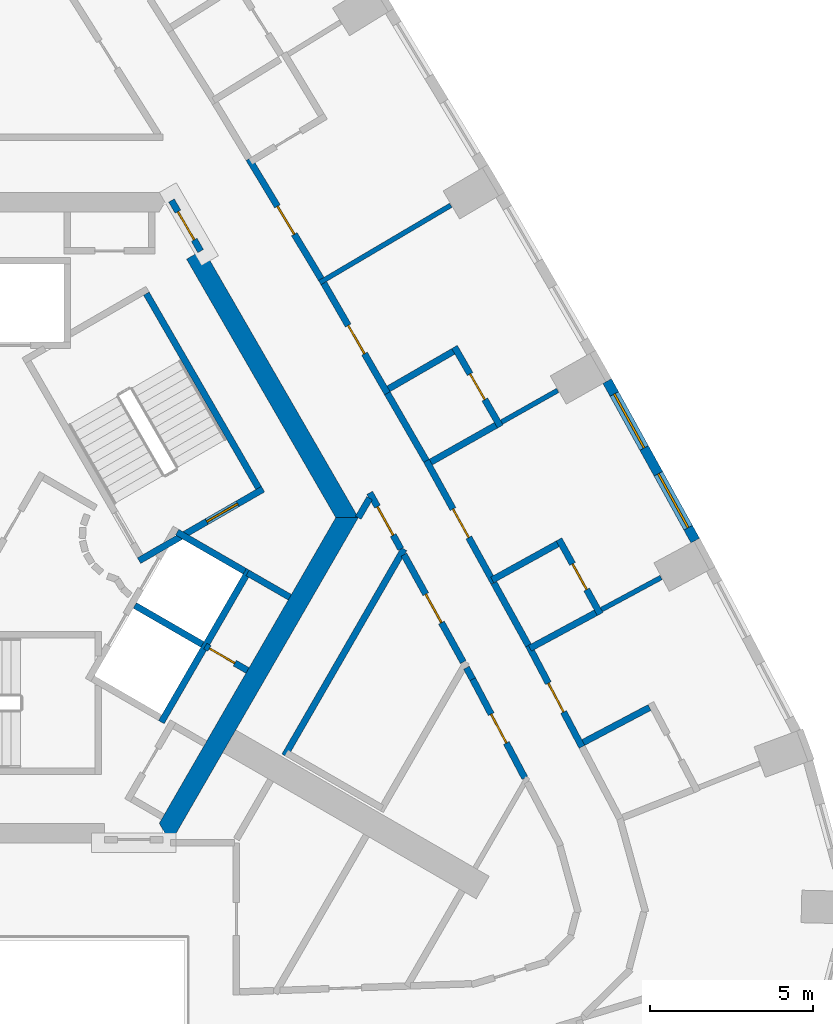
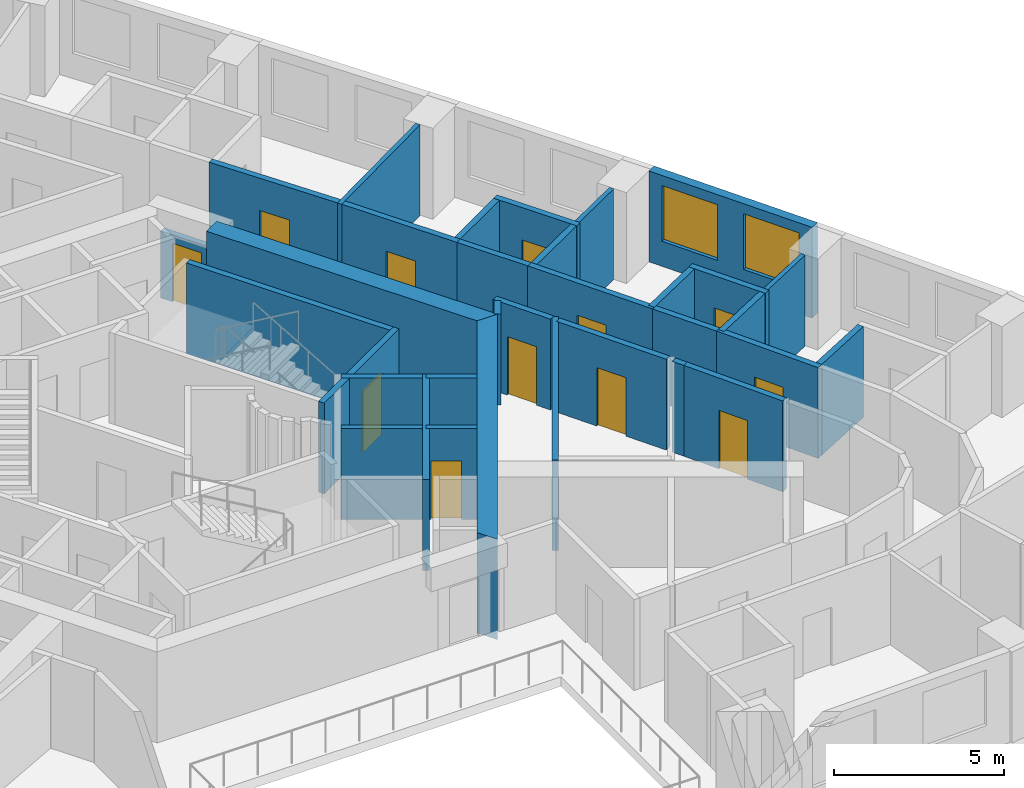
# One storey, part 8 of 14: 33 walls, 12 doors, 2 windows, 14 openings.
"""IFC4 building model written with IfcOpenShell, lengths in metres."""

from ifc_helpers import new_model, si_unit, direction, frame, frame_2d, origin, place, context, subcontext, project, spatial, polyline, rectangle, outline, extrude, material, layer, layer_set, type_object, element, fill, save


model = new_model("IFC4")

# Units and contexts
model_context = context("Model", 3, precision=1e-05, world=origin(), true_north=direction((0.0, 1.0)))
body_context = subcontext(model_context, "Body", "Model", "MODEL_VIEW")
ifc_project = project(units=[si_unit("LENGTHUNIT", "METRE"), si_unit("AREAUNIT", "SQUARE_METRE"), si_unit("VOLUMEUNIT", "CUBIC_METRE"), si_unit("PLANEANGLEUNIT", "RADIAN"), si_unit("MASSUNIT", "GRAM", prefix="KILO")], contexts=[model_context])

# Site, building, storey
site_placement = place(None, origin())
site = spatial("IfcSite", under=ifc_project, at=site_placement, CompositionType="ELEMENT")
building_placement = place(site_placement, origin())
building = spatial("IfcBuilding", under=site, at=building_placement, Name="Entoto Arch Interchange Tower", CompositionType="ELEMENT")
storey_placement = place(building_placement, frame((0.0, 0.0, 259.39990234375)))
storey = spatial("IfcBuildingStorey", under=building, at=storey_placement, Name="L59", CompositionType="ELEMENT", Elevation=259.39990234375)

# Wall, opening, door
ifc_material_1 = material(Name="Reinforced concrete C40/50", Category="concrete")
ifc_layer_1 = layer(ifc_material_1, 0.199951171875)
ifc_layer_set_1 = layer_set([ifc_layer_1], Name="Reinforced concrete C40/50")
wall_type_1 = type_object("IfcWallType", Name="CORE GAP INFILL WALL", PredefinedType="PARTITIONING", material=ifc_layer_set_1)
wall_1_placement = place(storey_placement, frame((6.698974609375, 10.697021484375, 0.0), z_axis=(0.0, 0.0, 1.0), x_axis=(-0.499914839587, 0.866074565589, 0.0)))
wall_1 = element("IfcWall", 1, at=wall_1_placement, inside=storey, type_object=wall_type_1, Name="wall:L59:gap2", PredefinedType="PARTITIONING", context=body_context, shape_type="SweptSolid", body=[
    extrude(rectangle(XDim=1.794189453125, YDim=0.199951171875, at=frame_2d((0.89697265625, 0.0))), origin(), (0.0, 0.0, 1.0), 2.400146484375),
])
opening_1_placement = place(wall_1_placement, frame((0.39697265625, 0.0, 0.0)))
opening_1 = element("IfcOpeningElement", 2, at=opening_1_placement, cuts=wall_1, Name="Opening L59-D92", PredefinedType="OPENING", context=body_context, shape_type="SweptSolid", body=[
    extrude(rectangle(XDim=1.0, YDim=2.10009765625, at=frame_2d((0.5, 1.050048828125))), frame((0.0, 0.10986328125, 0.0), z_axis=(0.0, -1.0, 0.0), x_axis=(1.0, 0.0, 0.0)), (0.0, 0.0, 1.0), 0.219970703125),
])
ifc_material_2 = material(Name="Fire-rated Steel S235 door and frame", Category="steel")
door_type_1 = type_object("IfcDoorType", Name="DOOR FD-10 1000x2100", OperationType="SINGLE_SWING_LEFT", PredefinedType="DOOR", material=ifc_material_2)
door_1_placement = place(opening_1_placement, origin())
door_1 = element("IfcDoor", 3, at=door_1_placement, inside=storey, type_object=door_type_1, Name="door:L59:gap2", OperationType="SINGLE_SWING_LEFT", OverallHeight=2.10009765625, OverallWidth=1.0, PredefinedType="DOOR", context=body_context, shape_type="SweptSolid", body=[
    extrude(rectangle(XDim=1.0, YDim=2.10009765625, at=frame_2d((0.5, 1.050048828125))), frame((0.0, 0.02490234375, 0.0), z_axis=(0.0, -1.0, 0.0), x_axis=(1.0, 0.0, 0.0)), (0.0, 0.0, 1.0), 0.050048828125),
])
fill(opening_1, door_1)

# Walls
ifc_material_3 = material(Name="Concrete C40/50", Category="concrete")
ifc_layer_2 = layer(ifc_material_3, 0.60009765625)
ifc_layer_set_2 = layer_set([ifc_layer_2], Name="Concrete C40/50")
wall_type_2 = type_object("IfcWallType", Name="Core wall 600 C40/50", PredefinedType="SHEAR", material=ifc_layer_set_2)
wall_2_placement = place(storey_placement, frame((0.0, 0.0, -0.33984375)))
element("IfcWall", 4, at=wall_2_placement, inside=storey, type_object=wall_type_2, Name="Core wall NE L59", PredefinedType="SHEAR", context=body_context, shape_type="SweptSolid", body=[
    extrude(outline(polyline([(6.785888671875, 10.7470703125), (6.26611328125, 10.447021484375), (10.85400390625, 2.5), (11.547119140625, 2.5), (6.785888671875, 10.7470703125)])), origin(), (0.0, 0.0, 1.0), 3.599853515625),
])
wall_3_placement = place(storey_placement, frame((0.0, 0.0, -0.33984375)))
element("IfcWall", 5, at=wall_3_placement, inside=storey, type_object=wall_type_2, Name="Core wall SE L59", PredefinedType="SHEAR", context=body_context, shape_type="SweptSolid", body=[
    extrude(outline(polyline([(5.77392578125, -7.5), (11.547119140625, 2.5), (10.85400390625, 2.5), (5.427001953125, -6.89990234375), (5.77392578125, -7.5)])), origin(), (0.0, 0.0, 1.0), 3.599853515625),
])
ifc_layer_3 = layer(ifc_material_3, 0.199951171875)
ifc_layer_set_3 = layer_set([ifc_layer_3], Name="Concrete C40/50")
wall_type_3 = type_object("IfcWallType", Name="LIFT SHAFT WALL 200", PredefinedType="STANDARD", material=ifc_layer_set_3)
wall_4_placement = place(storey_placement, frame((5.491943359375, -3.7880859375, 0.0), z_axis=(0.0, 0.0, 1.0), x_axis=(0.500034260056, 0.866005622828, 0.0)))
element("IfcWall", 6, at=wall_4_placement, inside=storey, type_object=wall_type_3, Name="Shaft wall SE1 back", PredefinedType="STANDARD", context=body_context, shape_type="SweptSolid", body=[
    extrude(rectangle(XDim=5.3994140625, YDim=0.199951171875, at=frame_2d((2.69970703125, 0.0))), origin(), (0.0, 0.0, 1.0), 3.260009765625),
])
for number, where, z_axis, x_axis, name in (
    (7, (4.677001953125, -0.199951171875, 0.0), (0.0, 0.0, 1.0), (0.865973769406, -0.500089422704, 0.0), "Shaft wall SE1 cross 2"),
    (8, (5.97705078125, 2.052001953125, 0.0), (0.0, 0.0, 1.0), (0.865973769406, -0.500089422704, 0.0), "Shaft wall SE1 cross 3"),
):
    element("IfcWall", number, at=place(storey_placement, frame(where, z_axis=z_axis, x_axis=x_axis)), inside=storey, type_object=wall_type_3, Name=name, PredefinedType="STANDARD", context=body_context, shape_type="SweptSolid", body=[
        extrude(rectangle(XDim=2.3994140625, YDim=0.199951171875, at=frame_2d((1.19970703125, 0.0))), origin(), (0.0, 0.0, 1.0), 3.260009765625),
    ])
ifc_material_4 = material(Name="Gypsum board partition on steel studs", Category="steel")
ifc_layer_4 = layer(ifc_material_4, 0.14990234375)
ifc_layer_set_4 = layer_set([ifc_layer_4], Name="Gypsum board partition on steel studs")
wall_type_4 = type_object("IfcWallType", Name="PARTITION 150", PredefinedType="PARTITIONING", material=ifc_layer_set_4)
wall_5_placement = place(storey_placement, frame((19.02294921875, -0.330078125, 0.0), z_axis=(0.0, 0.0, 1.0), x_axis=(0.880158309515, 0.474680261009, 0.0)))
element("IfcWall", 9, at=wall_5_placement, inside=storey, type_object=wall_type_4, Name="wall:L59:p134", PredefinedType="PARTITIONING", context=body_context, shape_type="SweptSolid", body=[
    extrude(rectangle(XDim=2.08154296875, YDim=0.14990234375, at=frame_2d((1.040771484375, 0.0))), origin(), (0.0, 0.0, 1.0), 3.260009765625),
])
wall_6_placement = place(storey_placement, frame((15.951904296875, 5.43701171875, 0.0), z_axis=(0.0, 0.0, 1.0), x_axis=(0.870817501488, 0.491606427036, 0.0)))
element("IfcWall", 10, at=wall_6_placement, inside=storey, type_object=wall_type_4, Name="wall:L59:p138", PredefinedType="PARTITIONING", context=body_context, shape_type="SweptSolid", body=[
    extrude(rectangle(XDim=1.98095703125, YDim=0.14990234375, at=frame_2d((0.990478515625, 0.0))), origin(), (0.0, 0.0, 1.0), 3.260009765625),
])
wall_7_placement = place(storey_placement, frame((10.360107421875, 9.72412109375, 0.0), z_axis=(0.0, 0.0, 1.0), x_axis=(0.861211954005, 0.508245974188, 0.0)))
element("IfcWall", 11, at=wall_7_placement, inside=storey, type_object=wall_type_4, Name="wall:L59:p142", PredefinedType="PARTITIONING", context=body_context, shape_type="SweptSolid", body=[
    extrude(rectangle(XDim=4.6806640625, YDim=0.14990234375, at=frame_2d((2.34033203125, 0.0))), origin(), (0.0, 0.0, 1.0), 3.260009765625),
])

# Wall, opening, door
ifc_layer_5 = layer(ifc_material_4, 0.199951171875)
ifc_layer_set_5 = layer_set([ifc_layer_5], Name="Gypsum board partition on steel studs")
wall_type_5 = type_object("IfcWallType", Name="PARTITION 200", PredefinedType="PARTITIONING", material=ifc_layer_set_5)
wall_8_placement = place(storey_placement, frame((12.85400390625, 1.534912109375, 0.0), z_axis=(0.0, 0.0, 1.0), x_axis=(-0.483730980407, 0.875216738068, 0.0)))
wall_8 = element("IfcWall", 12, at=wall_8_placement, inside=storey, type_object=wall_type_5, Name="wall:L59:p004", PredefinedType="PARTITIONING", context=body_context, shape_type="SweptSolid", body=[
    extrude(rectangle(XDim=1.974365234375, YDim=0.199951171875, at=frame_2d((0.9873046875, 0.0))), origin(), (0.0, 0.0, 1.0), 3.260009765625),
])
opening_2_placement = place(wall_8_placement, frame((0.487060546875, 0.0, 0.0)))
opening_2 = element("IfcOpeningElement", 13, at=opening_2_placement, cuts=wall_8, Name="Opening L59-D45", PredefinedType="OPENING", context=body_context, shape_type="SweptSolid", body=[
    extrude(rectangle(XDim=1.0, YDim=2.10009765625, at=frame_2d((0.5, 1.050048828125))), frame((0.0, 0.10986328125, 0.0), z_axis=(0.0, -1.0, 0.0), x_axis=(1.0, 0.0, 0.0)), (0.0, 0.0, 1.0), 0.219970703125),
])
ifc_material_5 = material(Name="Timber door leaf in Steel S235 frame", Category="steel")
door_type_2 = type_object("IfcDoorType", Name="DOOR DS-10 1000x2100", OperationType="SINGLE_SWING_LEFT", PredefinedType="DOOR", material=ifc_material_5)
door_2_placement = place(opening_2_placement, origin())
door_2 = element("IfcDoor", 14, at=door_2_placement, inside=storey, type_object=door_type_2, Name="door:L59:45", OperationType="SINGLE_SWING_LEFT", OverallHeight=2.10009765625, OverallWidth=1.0, PredefinedType="DOOR", context=body_context, shape_type="SweptSolid", body=[
    extrude(rectangle(XDim=1.0, YDim=2.10009765625, at=frame_2d((0.5, 1.050048828125))), frame((0.0, 0.02490234375, 0.0), z_axis=(0.0, -1.0, 0.0), x_axis=(1.0, 0.0, 0.0)), (0.0, 0.0, 1.0), 0.050048828125),
])
fill(opening_2, door_2)

# Wall
wall_9_placement = place(storey_placement, frame((11.89306640625, 3.096923828125, 0.0), z_axis=(0.0, 0.0, 1.0), x_axis=(-0.500911294014, -0.865498628265, 0.0)))
element("IfcWall", 15, at=wall_9_placement, inside=storey, type_object=wall_type_5, Name="wall:L59:p005", PredefinedType="PARTITIONING", context=body_context, shape_type="SweptSolid", body=[
    extrude(rectangle(XDim=0.693115234375, YDim=0.199951171875, at=frame_2d((0.3466796875, 0.0))), origin(), (0.0, 0.0, 1.0), 3.260009765625),
])

# Wall, opening, door
wall_10_placement = place(storey_placement, frame((14.77294921875, -1.94091796875, 0.0), z_axis=(0.0, 0.0, 1.0), x_axis=(-0.483431586589, 0.875382145744, 0.0)))
wall_10 = element("IfcWall", 16, at=wall_10_placement, inside=storey, type_object=wall_type_5, Name="wall:L59:p015", PredefinedType="PARTITIONING", context=body_context, shape_type="SweptSolid", body=[
    extrude(rectangle(XDim=3.77099609375, YDim=0.199951171875, at=frame_2d((1.885498046875, 0.0))), origin(), (0.0, 0.0, 1.0), 3.260009765625),
])
opening_3_placement = place(wall_10_placement, frame((1.385009765625, 0.0, 0.0)))
opening_3 = element("IfcOpeningElement", 17, at=opening_3_placement, cuts=wall_10, Name="Opening L59-D34", PredefinedType="OPENING", context=body_context, shape_type="SweptSolid", body=[
    extrude(rectangle(XDim=1.0, YDim=2.10009765625, at=frame_2d((0.5, 1.050048828125))), frame((0.0, 0.10986328125, 0.0), z_axis=(0.0, -1.0, 0.0), x_axis=(1.0, 0.0, 0.0)), (0.0, 0.0, 1.0), 0.219970703125),
])
door_3_placement = place(opening_3_placement, origin())
door_3 = element("IfcDoor", 18, at=door_3_placement, inside=storey, type_object=door_type_2, Name="door:L59:34", OperationType="SINGLE_SWING_LEFT", OverallHeight=2.10009765625, OverallWidth=1.0, PredefinedType="DOOR", context=body_context, shape_type="SweptSolid", body=[
    extrude(rectangle(XDim=1.0, YDim=2.10009765625, at=frame_2d((0.5, 1.050048828125))), frame((0.0, 0.02490234375, 0.0), z_axis=(0.0, -1.0, 0.0), x_axis=(1.0, 0.0, 0.0)), (0.0, 0.0, 1.0), 0.050048828125),
])
fill(opening_3, door_3)

wall_11_placement = place(storey_placement, frame((16.6669921875, -5.5048828125, 0.0), z_axis=(0.0, 0.0, 1.0), x_axis=(-0.466812680399, 0.884356218624, 0.0)))
wall_11 = element("IfcWall", 19, at=wall_11_placement, inside=storey, type_object=wall_type_5, Name="wall:L59:p017", PredefinedType="PARTITIONING", context=body_context, shape_type="SweptSolid", body=[
    extrude(rectangle(XDim=3.43408203125, YDim=0.199951171875, at=frame_2d((1.717041015625, 0.0))), origin(), (0.0, 0.0, 1.0), 3.260009765625),
])
opening_4_placement = place(wall_11_placement, frame((1.217041015625, 0.0, 0.0)))
opening_4 = element("IfcOpeningElement", 20, at=opening_4_placement, cuts=wall_11, Name="Opening L59-D36", PredefinedType="OPENING", context=body_context, shape_type="SweptSolid", body=[
    extrude(rectangle(XDim=1.0, YDim=2.10009765625, at=frame_2d((0.5, 1.050048828125))), frame((0.0, 0.10986328125, 0.0), z_axis=(0.0, -1.0, 0.0), x_axis=(1.0, 0.0, 0.0)), (0.0, 0.0, 1.0), 0.219970703125),
])
door_4_placement = place(opening_4_placement, origin())
door_4 = element("IfcDoor", 21, at=door_4_placement, inside=storey, type_object=door_type_2, Name="door:L59:36", OperationType="SINGLE_SWING_RIGHT", OverallHeight=2.10009765625, OverallWidth=1.0, PredefinedType="DOOR", context=body_context, shape_type="SweptSolid", body=[
    extrude(rectangle(XDim=1.0, YDim=2.10009765625, at=frame_2d((0.5, 1.050048828125))), frame((0.0, 0.02490234375, 0.0), z_axis=(0.0, -1.0, 0.0), x_axis=(1.0, 0.0, 0.0)), (0.0, 0.0, 1.0), 0.050048828125),
])
fill(opening_4, door_4)

# Wall
wall_12_placement = place(storey_placement, frame((15.06396484375, -2.468017578125, 0.0), z_axis=(0.0, 0.0, 1.0), x_axis=(-0.482338449744, 0.875984942735, 0.0)))
element("IfcWall", 22, at=wall_12_placement, inside=storey, type_object=wall_type_5, Name="wall:L59:p018", PredefinedType="PARTITIONING", context=body_context, shape_type="SweptSolid", body=[
    extrude(rectangle(XDim=0.40185546875, YDim=0.199951171875, at=frame_2d((0.200927734375, 0.0))), origin(), (0.0, 0.0, 1.0), 3.260009765625),
])

# Wall, opening, door
wall_13_placement = place(storey_placement, frame((16.778076171875, -1.428955078125, 0.0), z_axis=(0.0, 0.0, 1.0), x_axis=(0.466493865945, -0.884524433261, 0.0)))
wall_13 = element("IfcWall", 23, at=wall_13_placement, inside=storey, type_object=wall_type_5, Name="wall:L59:p042", PredefinedType="PARTITIONING", context=body_context, shape_type="SweptSolid", body=[
    extrude(rectangle(XDim=3.5263671875, YDim=0.199951171875, at=frame_2d((1.76318359375, 0.0))), origin(), (0.0, 0.0, 1.0), 3.260009765625),
])
opening_5_placement = place(wall_13_placement, frame((1.31298828125, 0.0, 0.0)))
opening_5 = element("IfcOpeningElement", 24, at=opening_5_placement, cuts=wall_13, Name="Opening L59-D06", PredefinedType="OPENING", context=body_context, shape_type="SweptSolid", body=[
    extrude(rectangle(XDim=1.0, YDim=2.10009765625, at=frame_2d((0.5, 1.050048828125))), frame((0.0, 0.10986328125, 0.0), z_axis=(0.0, -1.0, 0.0), x_axis=(1.0, 0.0, 0.0)), (0.0, 0.0, 1.0), 0.219970703125),
])
door_5_placement = place(opening_5_placement, origin())
door_5 = element("IfcDoor", 25, at=door_5_placement, inside=storey, type_object=door_type_1, Name="door:L59:06", OperationType="SINGLE_SWING_RIGHT", OverallHeight=2.10009765625, OverallWidth=1.0, PredefinedType="DOOR", context=body_context, shape_type="SweptSolid", body=[
    extrude(rectangle(XDim=1.0, YDim=2.10009765625, at=frame_2d((0.5, 1.050048828125))), frame((0.0, 0.02490234375, 0.0), z_axis=(0.0, -1.0, 0.0), x_axis=(1.0, 0.0, 0.0)), (0.0, 0.0, 1.0), 0.050048828125),
])
fill(opening_5, door_5)

wall_14_placement = place(storey_placement, frame((13.64111328125, 4.24609375, 0.0), z_axis=(0.0, 0.0, 1.0), x_axis=(0.483405752983, -0.875396411909, 0.0)))
wall_14 = element("IfcWall", 26, at=wall_14_placement, inside=storey, type_object=wall_type_5, Name="wall:L59:p044", PredefinedType="PARTITIONING", context=body_context, shape_type="SweptSolid", body=[
    extrude(rectangle(XDim=4.28369140625, YDim=0.199951171875, at=frame_2d((2.141845703125, 0.0))), origin(), (0.0, 0.0, 1.0), 3.260009765625),
])
opening_6_placement = place(wall_14_placement, frame((1.69189453125, 0.0, 0.0)))
opening_6 = element("IfcOpeningElement", 27, at=opening_6_placement, cuts=wall_14, Name="Opening L59-D08", PredefinedType="OPENING", context=body_context, shape_type="SweptSolid", body=[
    extrude(rectangle(XDim=1.0, YDim=2.10009765625, at=frame_2d((0.5, 1.050048828125))), frame((0.0, 0.10986328125, 0.0), z_axis=(0.0, -1.0, 0.0), x_axis=(1.0, 0.0, 0.0)), (0.0, 0.0, 1.0), 0.219970703125),
])
door_6_placement = place(opening_6_placement, origin())
door_6 = element("IfcDoor", 28, at=door_6_placement, inside=storey, type_object=door_type_1, Name="door:L59:08", OperationType="SINGLE_SWING_RIGHT", OverallHeight=2.10009765625, OverallWidth=1.0, PredefinedType="DOOR", context=body_context, shape_type="SweptSolid", body=[
    extrude(rectangle(XDim=1.0, YDim=2.10009765625, at=frame_2d((0.5, 1.050048828125))), frame((0.0, 0.02490234375, 0.0), z_axis=(0.0, -1.0, 0.0), x_axis=(1.0, 0.0, 0.0)), (0.0, 0.0, 1.0), 0.050048828125),
])
fill(opening_6, door_6)

# Wall
wall_15_placement = place(storey_placement, frame((15.715087890625, 0.490966796875, 0.0), z_axis=(0.0, 0.0, 1.0), x_axis=(0.483421428323, -0.875387755591, 0.0)))
element("IfcWall", 29, at=wall_15_placement, inside=storey, type_object=wall_type_5, Name="wall:L59:p045", PredefinedType="PARTITIONING", context=body_context, shape_type="SweptSolid", body=[
    extrude(rectangle(XDim=2.1943359375, YDim=0.199951171875, at=frame_2d((1.09716796875, 0.0))), origin(), (0.0, 0.0, 1.0), 3.260009765625),
])

# Wall, opening, door
wall_16_placement = place(storey_placement, frame((10.48388671875, 9.7099609375, 0.0), z_axis=(0.0, 0.0, 1.0), x_axis=(0.500034145141, -0.866005689181, 0.0)))
wall_16 = element("IfcWall", 30, at=wall_16_placement, inside=storey, type_object=wall_type_5, Name="wall:L59:p046", PredefinedType="PARTITIONING", context=body_context, shape_type="SweptSolid", body=[
    extrude(rectangle(XDim=3.909912109375, YDim=0.199951171875, at=frame_2d((1.955078125, 0.0))), origin(), (0.0, 0.0, 1.0), 3.260009765625),
])
opening_7_placement = place(wall_16_placement, frame((1.5048828125, 0.0, 0.0)))
opening_7 = element("IfcOpeningElement", 31, at=opening_7_placement, cuts=wall_16, Name="Opening L59-D10", PredefinedType="OPENING", context=body_context, shape_type="SweptSolid", body=[
    extrude(rectangle(XDim=1.0, YDim=2.10009765625, at=frame_2d((0.5, 1.050048828125))), frame((0.0, 0.10986328125, 0.0), z_axis=(0.0, -1.0, 0.0), x_axis=(1.0, 0.0, 0.0)), (0.0, 0.0, 1.0), 0.219970703125),
])
door_7_placement = place(opening_7_placement, origin())
door_7 = element("IfcDoor", 32, at=door_7_placement, inside=storey, type_object=door_type_1, Name="door:L59:10", OperationType="SINGLE_SWING_LEFT", OverallHeight=2.10009765625, OverallWidth=1.0, PredefinedType="DOOR", context=body_context, shape_type="SweptSolid", body=[
    extrude(rectangle(XDim=1.0, YDim=2.10009765625, at=frame_2d((0.5, 1.050048828125))), frame((0.0, 0.02490234375, 0.0), z_axis=(0.0, -1.0, 0.0), x_axis=(1.0, 0.0, 0.0)), (0.0, 0.0, 1.0), 0.050048828125),
])
fill(opening_7, door_7)

# Wall
wall_17_placement = place(storey_placement, frame((12.43896484375, 6.323974609375, 0.0), z_axis=(0.0, 0.0, 1.0), x_axis=(0.499913221443, -0.866075499611, 0.0)))
element("IfcWall", 33, at=wall_17_placement, inside=storey, type_object=wall_type_5, Name="wall:L59:p047", PredefinedType="PARTITIONING", context=body_context, shape_type="SweptSolid", body=[
    extrude(rectangle(XDim=2.400390625, YDim=0.199951171875, at=frame_2d((1.2001953125, 0.0))), origin(), (0.0, 0.0, 1.0), 3.260009765625),
])

# Wall, opening, door
wall_18_placement = place(storey_placement, frame((8.180908203125, 13.531982421875, 0.0), z_axis=(0.0, 0.0, 1.0), x_axis=(0.51625987265, -0.856431984393, 0.0)))
wall_18 = element("IfcWall", 34, at=wall_18_placement, inside=storey, type_object=wall_type_5, Name="wall:L59:p048", PredefinedType="PARTITIONING", context=body_context, shape_type="SweptSolid", body=[
    extrude(rectangle(XDim=4.31201171875, YDim=0.199951171875, at=frame_2d((2.156005859375, 0.0))), origin(), (0.0, 0.0, 1.0), 3.260009765625),
])
opening_8_placement = place(wall_18_placement, frame((1.7060546875, 0.0, 0.0)))
opening_8 = element("IfcOpeningElement", 35, at=opening_8_placement, cuts=wall_18, Name="Opening L59-D12", PredefinedType="OPENING", context=body_context, shape_type="SweptSolid", body=[
    extrude(rectangle(XDim=1.0, YDim=2.10009765625, at=frame_2d((0.5, 1.050048828125))), frame((0.0, 0.10986328125, 0.0), z_axis=(0.0, -1.0, 0.0), x_axis=(1.0, 0.0, 0.0)), (0.0, 0.0, 1.0), 0.219970703125),
])
door_8_placement = place(opening_8_placement, origin())
door_8 = element("IfcDoor", 36, at=door_8_placement, inside=storey, type_object=door_type_1, Name="door:L59:12", OperationType="SINGLE_SWING_LEFT", OverallHeight=2.10009765625, OverallWidth=1.0, PredefinedType="DOOR", context=body_context, shape_type="SweptSolid", body=[
    extrude(rectangle(XDim=1.0, YDim=2.10009765625, at=frame_2d((0.5, 1.050048828125))), frame((0.0, 0.02490234375, 0.0), z_axis=(0.0, -1.0, 0.0), x_axis=(1.0, 0.0, 0.0)), (0.0, 0.0, 1.0), 0.050048828125),
])
fill(opening_8, door_8)

wall_19_placement = place(storey_placement, frame((8.139892578125, -2.199951171875, 0.0), z_axis=(0.0, 0.0, 1.0), x_axis=(-0.865545166185, 0.500830874941, 0.0)))
wall_19 = element("IfcWall", 37, at=wall_19_placement, inside=storey, type_object=wall_type_5, Name="wall:L59:p081", PredefinedType="PARTITIONING", context=body_context, shape_type="SweptSolid", body=[
    extrude(rectangle(XDim=1.49951171875, YDim=0.199951171875, at=frame_2d((0.749755859375, 0.0))), origin(), (0.0, 0.0, 1.0), 3.260009765625),
])
opening_9_placement = place(wall_19_placement, frame((0.449951171875, 0.0, 0.0)))
opening_9 = element("IfcOpeningElement", 38, at=opening_9_placement, cuts=wall_19, Name="Opening L59-D51", PredefinedType="OPENING", context=body_context, shape_type="SweptSolid", body=[
    extrude(rectangle(XDim=0.89990234375, YDim=2.10009765625, at=frame_2d((0.449951171875, 1.050048828125))), frame((0.0, 0.10986328125, 0.0), z_axis=(0.0, -1.0, 0.0), x_axis=(1.0, 0.0, 0.0)), (0.0, 0.0, 1.0), 0.219970703125),
])
door_type_3 = type_object("IfcDoorType", Name="DOOR DS-09 900x2100", OperationType="SINGLE_SWING_LEFT", PredefinedType="DOOR", material=ifc_material_5)
door_9_placement = place(opening_9_placement, origin())
door_9 = element("IfcDoor", 39, at=door_9_placement, inside=storey, type_object=door_type_3, Name="door:L59:51", OperationType="SINGLE_SWING_LEFT", OverallHeight=2.10009765625, OverallWidth=0.89990234375, PredefinedType="DOOR", context=body_context, shape_type="SweptSolid", body=[
    extrude(rectangle(XDim=0.89990234375, YDim=2.10009765625, at=frame_2d((0.449951171875, 1.050048828125))), frame((0.0, 0.02490234375, 0.0), z_axis=(0.0, -1.0, 0.0), x_axis=(1.0, 0.0, 0.0)), (0.0, 0.0, 1.0), 0.050048828125),
])
fill(opening_9, door_9)

# Walls
wall_20_placement = place(storey_placement, frame((8.14111328125, 0.801025390625, 0.0), z_axis=(0.0, 0.0, 1.0), x_axis=(0.866434738017, -0.499290341141, 0.0)))
element("IfcWall", 40, at=wall_20_placement, inside=storey, type_object=wall_type_5, Name="wall:L59:p082", PredefinedType="PARTITIONING", context=body_context, shape_type="SweptSolid", body=[
    extrude(rectangle(XDim=1.500244140625, YDim=0.199951171875, at=frame_2d((0.75, 0.0))), origin(), (0.0, 0.0, 1.0), 3.260009765625),
])
wall_21_placement = place(storey_placement, frame((9.284912109375, -4.818115234375, 0.0), z_axis=(0.0, 0.0, 1.0), x_axis=(0.499962569651, 0.866047013128, 0.0)))
element("IfcWall", 41, at=wall_21_placement, inside=storey, type_object=wall_type_5, Name="wall:L59:p092", PredefinedType="PARTITIONING", context=body_context, shape_type="SweptSolid", body=[
    extrude(rectangle(XDim=7.33447265625, YDim=0.199951171875, at=frame_2d((3.667236328125, 0.0))), origin(), (0.0, 0.0, 1.0), 3.260009765625),
])
wall_22_placement = place(storey_placement, frame((20.4990234375, -3.339111328125, 0.0), z_axis=(0.0, 0.0, 1.0), x_axis=(-0.884293452572, -0.466931568583, 0.0)))
element("IfcWall", 42, at=wall_22_placement, inside=storey, type_object=wall_type_5, Name="wall:L59:p133", PredefinedType="PARTITIONING", context=body_context, shape_type="SweptSolid", body=[
    extrude(rectangle(XDim=2.300048828125, YDim=0.199951171875, at=frame_2d((1.14990234375, 0.0))), origin(), (0.0, 0.0, 1.0), 3.260009765625),
])
wall_23_placement = place(storey_placement, frame((16.823974609375, -1.51806640625, 0.0), z_axis=(0.0, 0.0, 1.0), x_axis=(0.87996932648, 0.475030508972, 0.0)))
element("IfcWall", 43, at=wall_23_placement, inside=storey, type_object=wall_type_5, Name="wall:L59:p135", PredefinedType="PARTITIONING", context=body_context, shape_type="SweptSolid", body=[
    extrude(rectangle(XDim=2.298828125, YDim=0.199951171875, at=frame_2d((1.1494140625, 0.0))), origin(), (0.0, 0.0, 1.0), 3.260009765625),
])

# Wall, opening, door
wall_24_placement = place(storey_placement, frame((18.98388671875, -0.466064453125, 0.0), z_axis=(0.0, 0.0, 1.0), x_axis=(-0.482922337539, 0.875663186337, 0.0)))
wall_24 = element("IfcWall", 44, at=wall_24_placement, inside=storey, type_object=wall_type_5, Name="wall:L59:p136", PredefinedType="PARTITIONING", context=body_context, shape_type="SweptSolid", body=[
    extrude(rectangle(XDim=2.623291015625, YDim=0.199951171875, at=frame_2d((1.3115234375, 0.0))), origin(), (0.0, 0.0, 1.0), 3.260009765625),
])
opening_10_placement = place(wall_24_placement, frame((0.861083984375, 0.0, 0.0)))
opening_10 = element("IfcOpeningElement", 45, at=opening_10_placement, cuts=wall_24, Name="Opening L59-D09", PredefinedType="OPENING", context=body_context, shape_type="SweptSolid", body=[
    extrude(rectangle(XDim=0.89990234375, YDim=2.10009765625, at=frame_2d((0.449951171875, 1.050048828125))), frame((0.0, 0.10986328125, 0.0), z_axis=(0.0, -1.0, 0.0), x_axis=(1.0, 0.0, 0.0)), (0.0, 0.0, 1.0), 0.219970703125),
])
door_10_placement = place(opening_10_placement, origin())
door_10 = element("IfcDoor", 46, at=door_10_placement, inside=storey, type_object=door_type_3, Name="door:L59:09", OperationType="SINGLE_SWING_LEFT", OverallHeight=2.10009765625, OverallWidth=0.89990234375, PredefinedType="DOOR", context=body_context, shape_type="SweptSolid", body=[
    extrude(rectangle(XDim=0.89990234375, YDim=2.10009765625, at=frame_2d((0.449951171875, 1.050048828125))), frame((0.0, 0.02490234375, 0.0), z_axis=(0.0, -1.0, 0.0), x_axis=(1.0, 0.0, 0.0)), (0.0, 0.0, 1.0), 0.050048828125),
])
fill(opening_10, door_10)

# Walls
wall_25_placement = place(storey_placement, frame((17.677001953125, 1.695068359375, 0.0), z_axis=(0.0, 0.0, 1.0), x_axis=(-0.875306576455, -0.483568399727, 0.0)))
element("IfcWall", 47, at=wall_25_placement, inside=storey, type_object=wall_type_5, Name="wall:L59:p137", PredefinedType="PARTITIONING", context=body_context, shape_type="SweptSolid", body=[
    extrude(rectangle(XDim=2.2998046875, YDim=0.199951171875, at=frame_2d((1.14990234375, 0.0))), origin(), (0.0, 0.0, 1.0), 3.260009765625),
])
wall_26_placement = place(storey_placement, frame((13.77587890625, 4.2080078125, 0.0), z_axis=(0.0, 0.0, 1.0), x_axis=(0.870669592898, 0.491868336044, 0.0)))
element("IfcWall", 48, at=wall_26_placement, inside=storey, type_object=wall_type_5, Name="wall:L59:p139", PredefinedType="PARTITIONING", context=body_context, shape_type="SweptSolid", body=[
    extrude(rectangle(XDim=2.299560546875, YDim=0.199951171875, at=frame_2d((1.14990234375, 0.0))), origin(), (0.0, 0.0, 1.0), 3.260009765625),
])

# Wall, opening, door
wall_27_placement = place(storey_placement, frame((15.9150390625, 5.301025390625, 0.0), z_axis=(0.0, 0.0, 1.0), x_axis=(-0.499709979351, 0.866192782547, 0.0)))
wall_27 = element("IfcWall", 49, at=wall_27_placement, inside=storey, type_object=wall_type_5, Name="wall:L59:p140", PredefinedType="PARTITIONING", context=body_context, shape_type="SweptSolid", body=[
    extrude(rectangle(XDim=2.823974609375, YDim=0.199951171875, at=frame_2d((1.412109375, 0.0))), origin(), (0.0, 0.0, 1.0), 3.260009765625),
])
opening_11_placement = place(wall_27_placement, frame((0.9619140625, 0.0, 0.0)))
opening_11 = element("IfcOpeningElement", 50, at=opening_11_placement, cuts=wall_27, Name="Opening L59-D11", PredefinedType="OPENING", context=body_context, shape_type="SweptSolid", body=[
    extrude(rectangle(XDim=0.89990234375, YDim=2.10009765625, at=frame_2d((0.449951171875, 1.050048828125))), frame((0.0, 0.10986328125, 0.0), z_axis=(0.0, -1.0, 0.0), x_axis=(1.0, 0.0, 0.0)), (0.0, 0.0, 1.0), 0.219970703125),
])
door_11_placement = place(opening_11_placement, origin())
door_11 = element("IfcDoor", 51, at=door_11_placement, inside=storey, type_object=door_type_3, Name="door:L59:11", OperationType="SINGLE_SWING_LEFT", OverallHeight=2.10009765625, OverallWidth=0.89990234375, PredefinedType="DOOR", context=body_context, shape_type="SweptSolid", body=[
    extrude(rectangle(XDim=0.89990234375, YDim=2.10009765625, at=frame_2d((0.449951171875, 1.050048828125))), frame((0.0, 0.02490234375, 0.0), z_axis=(0.0, -1.0, 0.0), x_axis=(1.0, 0.0, 0.0)), (0.0, 0.0, 1.0), 0.050048828125),
])
fill(opening_11, door_11)

# Wall
wall_28_placement = place(storey_placement, frame((14.467041015625, 7.611083984375, 0.0), z_axis=(0.0, 0.0, 1.0), x_axis=(-0.865716862402, -0.500534028967, 0.0)))
element("IfcWall", 52, at=wall_28_placement, inside=storey, type_object=wall_type_5, Name="wall:L59:p141", PredefinedType="PARTITIONING", context=body_context, shape_type="SweptSolid", body=[
    extrude(rectangle(XDim=2.2998046875, YDim=0.199951171875, at=frame_2d((1.14990234375, 0.0))), origin(), (0.0, 0.0, 1.0), 3.260009765625),
])

# Wall, opening, door
ifc_layer_6 = layer(ifc_material_3, 0.199951171875)
ifc_layer_set_6 = layer_set([ifc_layer_6], Name="Concrete C40/50")
wall_type_6 = type_object("IfcWallType", Name="STAIR ENCLOSURE WALL 200", PredefinedType="STANDARD", material=ifc_layer_set_6)
wall_29_placement = place(storey_placement, frame((4.805908203125, 1.176025390625, 0.0), z_axis=(0.0, 0.0, 1.0), x_axis=(0.866059941101, 0.499940174841, 0.0)))
wall_29 = element("IfcWall", 53, at=wall_29_placement, inside=storey, type_object=wall_type_6, Name="Stair wall ST-NE near", PredefinedType="STANDARD", context=body_context, shape_type="SweptSolid", body=[
    extrude(rectangle(XDim=4.400390625, YDim=0.199951171875, at=frame_2d((2.2001953125, 0.0))), origin(), (0.0, 0.0, 1.0), 3.260009765625),
])
opening_12_placement = place(wall_29_placement, frame((2.39990234375, 0.0, 0.0)))
opening_12 = element("IfcOpeningElement", 54, at=opening_12_placement, cuts=wall_29, Name="Opening SD-ST-NE-L59-E", PredefinedType="OPENING", context=body_context, shape_type="SweptSolid", body=[
    extrude(rectangle(XDim=1.10009765625, YDim=2.199951171875, at=frame_2d((0.550048828125, 1.10009765625))), frame((0.0, 0.10986328125, 0.0), z_axis=(0.0, -1.0, 0.0), x_axis=(1.0, 0.0, 0.0)), (0.0, 0.0, 1.0), 0.219970703125),
])
ifc_material_6 = material(Name="Steel S235", Category="steel")
door_type_4 = type_object("IfcDoorType", Name="STAIR DOOR SD1 1100x2200", OperationType="SINGLE_SWING_LEFT", PredefinedType="DOOR", material=ifc_material_6)
door_12_placement = place(opening_12_placement, origin())
door_12 = element("IfcDoor", 55, at=door_12_placement, inside=storey, type_object=door_type_4, Name="Stair door ST-NE L59 end", OperationType="SINGLE_SWING_LEFT", OverallHeight=2.199951171875, OverallWidth=1.10009765625, PredefinedType="DOOR", context=body_context, shape_type="SweptSolid", body=[
    extrude(rectangle(XDim=1.10009765625, YDim=2.199951171875, at=frame_2d((0.550048828125, 1.10009765625))), frame((0.0, 0.02490234375, 0.0), z_axis=(0.0, -1.0, 0.0), x_axis=(1.0, 0.0, 0.0)), (0.0, 0.0, 1.0), 0.050048828125),
])
fill(opening_12, door_12)

# Wall
wall_30_placement = place(storey_placement, frame((8.47998046875, 3.412109375, 0.0), z_axis=(0.0, 0.0, 1.0), x_axis=(-0.499978703459, 0.866037698999, 0.0)))
element("IfcWall", 56, at=wall_30_placement, inside=storey, type_object=wall_type_6, Name="Stair wall ST-NE back", PredefinedType="STANDARD", context=body_context, shape_type="SweptSolid", body=[
    extrude(rectangle(XDim=6.900146484375, YDim=0.199951171875, at=frame_2d((3.4501953125, 0.0))), origin(), (0.0, 0.0, 1.0), 3.260009765625),
])

# Wall, openings, windows
ifc_material_7 = material(Name="Welded tuff (ignimbrite) cladding, warm buff", Category="masonry")
ifc_layer_7 = layer(ifc_material_7, 0.300048828125)
ifc_layer_set_7 = layer_set([ifc_layer_7], Name="Welded tuff (ignimbrite) cladding, warm buff")
wall_type_7 = type_object("IfcWallType", Name="STONE INFILL WALL 300", PredefinedType="STANDARD", material=ifc_layer_set_7)
wall_31_placement = place(storey_placement, frame((21.906982421875, 1.7939453125, 0.0), z_axis=(0.0, 0.0, 1.0), x_axis=(-0.483469062695, 0.875361448441, 0.0)))
wall_31 = element("IfcWall", 57, at=wall_31_placement, inside=storey, type_object=wall_type_7, Name="Facade wall NE-02 L59", PredefinedType="STANDARD", context=body_context, shape_type="SweptSolid", body=[
    extrude(rectangle(XDim=5.601318359375, YDim=0.300048828125, at=frame_2d((2.80078125, 0.0))), origin(), (0.0, 0.0, 1.0), 3.260009765625),
])
opening_13_placement = place(wall_31_placement, frame((0.449951171875, 0.0, 0.89990234375)))
opening_13 = element("IfcOpeningElement", 58, at=opening_13_placement, cuts=wall_31, Name="Opening WH-C", PredefinedType="OPENING", context=body_context, shape_type="SweptSolid", body=[
    extrude(rectangle(XDim=1.89990234375, YDim=2.0, at=frame_2d((0.949951171875, 1.0))), frame((0.0, 0.16015625, 0.0), z_axis=(0.0, -1.0, 0.0), x_axis=(1.0, 0.0, 0.0)), (0.0, 0.0, 1.0), 0.320068359375),
])
opening_14_placement = place(wall_31_placement, frame((3.2509765625, 0.0, 0.89990234375)))
opening_14 = element("IfcOpeningElement", 59, at=opening_14_placement, cuts=wall_31, Name="Opening WH-C", PredefinedType="OPENING", context=body_context, shape_type="SweptSolid", body=[
    extrude(rectangle(XDim=1.89990234375, YDim=2.0, at=frame_2d((0.949951171875, 1.0))), frame((0.0, 0.16015625, 0.0), z_axis=(0.0, -1.0, 0.0), x_axis=(1.0, 0.0, 0.0)), (0.0, 0.0, 1.0), 0.320068359375),
])
ifc_material_8 = material(Name="Clear glass, low-e double glazed", Category="glass")
window_type = type_object("IfcWindowType", Name="WINDOW WH-C 1900x2000", PartitioningType="DOUBLE_PANEL_VERTICAL", PredefinedType="WINDOW", material=ifc_material_8)
window_1_placement = place(opening_13_placement, origin())
window_1 = element("IfcWindow", 60, at=window_1_placement, inside=storey, type_object=window_type, Name="Window WH-C NE-02 L59", OverallHeight=2.0, OverallWidth=1.89990234375, PartitioningType="SINGLE_PANEL", PredefinedType="WINDOW", context=body_context, shape_type="SweptSolid", body=[
    extrude(rectangle(XDim=1.89990234375, YDim=2.0, at=frame_2d((0.949951171875, 1.0))), frame((0.0, 0.030029296875, 0.0), z_axis=(0.0, -1.0, 0.0), x_axis=(1.0, 0.0, 0.0)), (0.0, 0.0, 1.0), 0.06005859375),
])
fill(opening_13, window_1)
window_2_placement = place(opening_14_placement, origin())
window_2 = element("IfcWindow", 61, at=window_2_placement, inside=storey, type_object=window_type, Name="Window WH-C NE-02 L59", OverallHeight=2.0, OverallWidth=1.89990234375, PartitioningType="SINGLE_PANEL", PredefinedType="WINDOW", context=body_context, shape_type="SweptSolid", body=[
    extrude(rectangle(XDim=1.89990234375, YDim=2.0, at=frame_2d((0.949951171875, 1.0))), frame((0.0, 0.030029296875, 0.0), z_axis=(0.0, -1.0, 0.0), x_axis=(1.0, 0.0, 0.0)), (0.0, 0.0, 1.0), 0.06005859375),
])
fill(opening_14, window_2)

save(model, "model.ifc")
